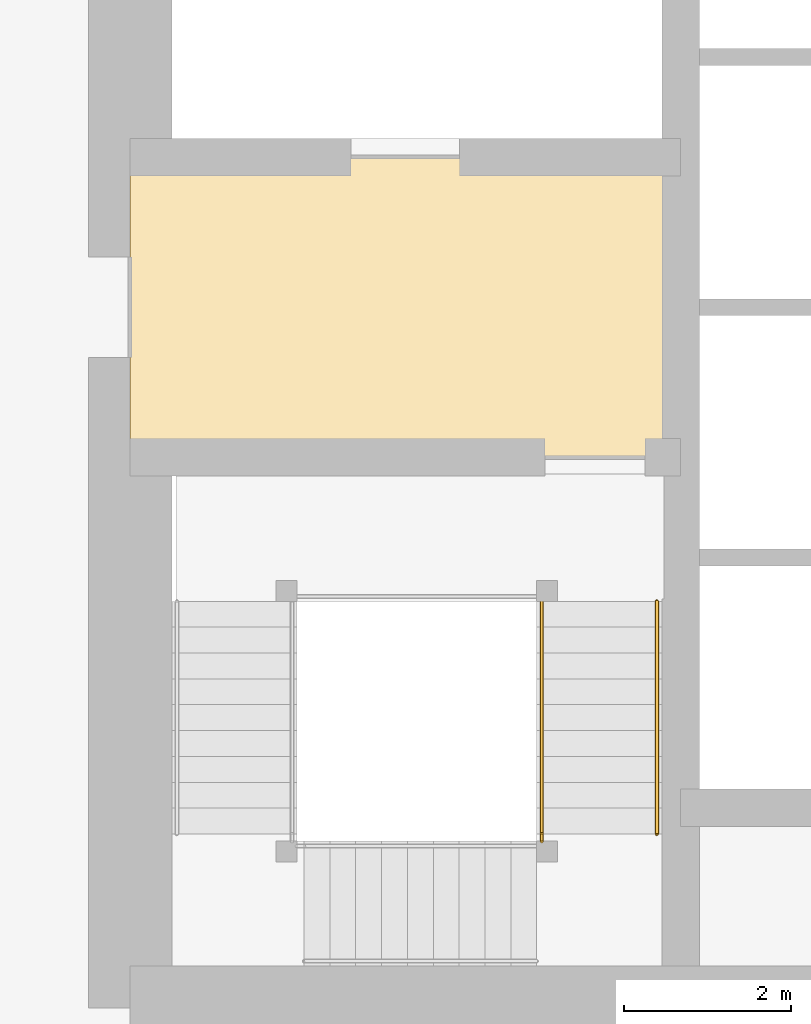
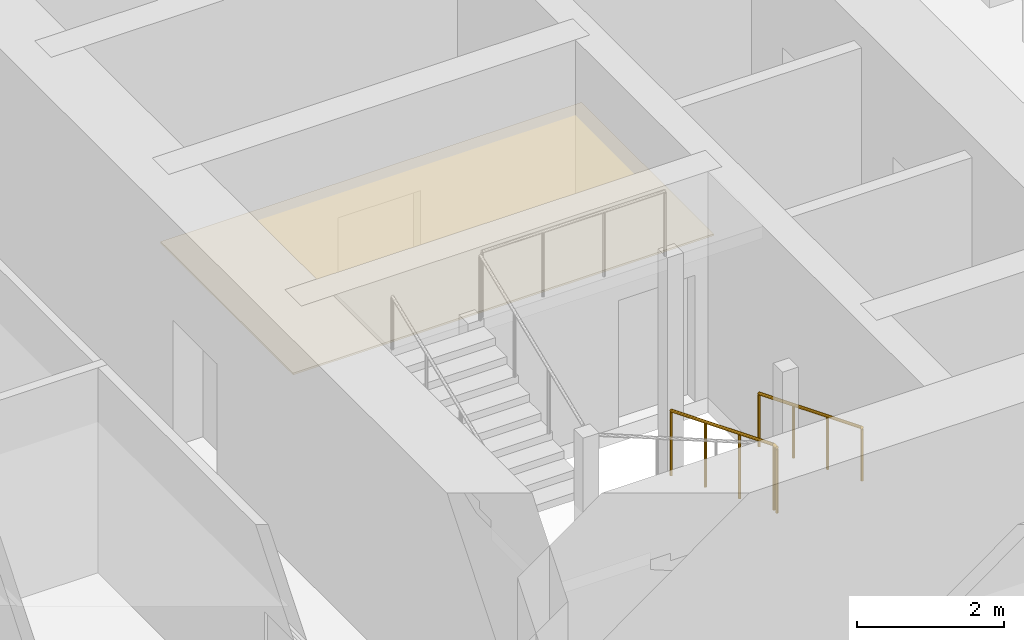
# One storey, part 28 of 34: 3 railings, 1 covering.
"""IFC4 building model written with IfcOpenShell, lengths in metres."""

import ifcopenshell
import ifcopenshell.guid

model = None  # the IFC model being written
_history = None  # IfcOwnerHistory: only IFC2X3 demands one
_inside = {}  # id of a spatial element -> (the spatial element, [elements in it])
_under = {}  # id of a project, library or spatial element -> (it, [spatial elements below it])
_declared = {}  # id of a project -> (the project, [libraries it declares])
_typed = {}  # id of a type object -> (the type object, [elements of that type])
_made_of = {}  # id of a material, layer set ... -> (it, [elements and type objects made of it])


def new_model(schema):
    """Start an empty IFC model of exactly this schema.

    Asked for "IFC4X3", IfcOpenShell would pick the latest addendum, in which some entities
    have other attributes; the version numbers below select the first issue.
    IFC2X3 requires an IfcOwnerHistory on every rooted entity: one is made here for all.
    """
    global model, _history
    if schema == "IFC4X3":
        model = ifcopenshell.file(schema_version=(4, 3, 0, 0))
    else:
        model = ifcopenshell.file(schema=schema)
    _inside.clear()
    _under.clear()
    _declared.clear()
    _typed.clear()
    _made_of.clear()
    _history = None
    if model.schema == "IFC2X3":
        org = make("IfcOrganization", Name="unknown")
        user = make(
            "IfcPersonAndOrganization",
            ThePerson=make("IfcPerson", FamilyName="unknown"),
            TheOrganization=org,
        )
        app = make(
            "IfcApplication",
            ApplicationDeveloper=org,
            Version="unknown",
            ApplicationFullName="unknown",
            ApplicationIdentifier="unknown",
        )
        _history = make(
            "IfcOwnerHistory",
            OwningUser=user,
            OwningApplication=app,
            ChangeAction="ADDED",
            CreationDate=0,
        )
    return model


def make(cls, **values):
    """One entity of the class cls with the attributes given. An attribute that is None is left unset."""
    return model.create_entity(
        cls, **{name: value for name, value in values.items() if value is not None}
    )


def rooted(cls, **values):
    """An entity with a GlobalId (a new one), such as an element, a storey or a relation."""
    return make(cls, GlobalId=ifcopenshell.guid.new(), OwnerHistory=_history, **values)


def si_unit(unit_type, name, prefix=None):
    """IfcSIUnit, for example si_unit("LENGTHUNIT", "METRE", prefix="MILLI")."""
    return make("IfcSIUnit", UnitType=unit_type, Prefix=prefix, Name=name)


def assignment(units):
    """IfcUnitAssignment: the units of a project."""
    return None if units is None else make("IfcUnitAssignment", Units=units)


def point(xyz):
    """IfcCartesianPoint."""
    return None if xyz is None else make("IfcCartesianPoint", Coordinates=xyz)


def direction(xyz):
    """IfcDirection."""
    return None if xyz is None else make("IfcDirection", DirectionRatios=xyz)


def frame(location, z_axis=None, x_axis=None):
    """IfcAxis2Placement3D, a coordinate frame: its origin and axes. An axis left out is left unset."""
    return make(
        "IfcAxis2Placement3D",
        Location=point(location),
        Axis=direction(z_axis),
        RefDirection=direction(x_axis),
    )


def frame_2d(location, x_axis=None):
    """IfcAxis2Placement2D, a coordinate frame in the plane: its origin and x axis."""
    return make(
        "IfcAxis2Placement2D", Location=point(location), RefDirection=direction(x_axis)
    )


def origin():
    """The frame at (0, 0, 0) with its axes left unset."""
    return frame((0.0, 0.0, 0.0))


def origin_2d():
    """The frame at (0, 0) in the plane with its x axis left unset."""
    return frame_2d((0.0, 0.0))


def place(relative_to, where):
    """IfcLocalPlacement: puts the frame where relative to a parent placement (None: the world)."""
    return make(
        "IfcLocalPlacement", PlacementRelTo=relative_to, RelativePlacement=where
    )


def context(
    kind, dimensions, precision=None, world=None, true_north=None, identifier=None
):
    """IfcGeometricRepresentationContext, for example the 3D "Model" context."""
    return make(
        "IfcGeometricRepresentationContext",
        ContextIdentifier=identifier,
        ContextType=kind,
        CoordinateSpaceDimension=dimensions,
        Precision=precision,
        WorldCoordinateSystem=world,
        TrueNorth=true_north,
    )


def subcontext(parent, identifier, kind, view, scale=None):
    """IfcGeometricRepresentationSubContext, for example "Body" below "Model"."""
    return make(
        "IfcGeometricRepresentationSubContext",
        ContextIdentifier=identifier,
        ContextType=kind,
        ParentContext=parent,
        TargetScale=scale,
        TargetView=view,
    )


def project(units=None, contexts=None):
    """IfcProject with its units and contexts."""
    return rooted(
        "IfcProject",
        Name="project",
        RepresentationContexts=contexts,
        UnitsInContext=assignment(units),
    )


def spatial(cls, under=None, at=None, **own):
    """A site, building, storey or space (cls), placed at a placement, below another one or the project."""
    s = rooted(cls, ObjectPlacement=at, **own)
    if under is not None:
        _under.setdefault(under.id(), (under, []))[1].append(s)
    return s


def polyline(points):
    """IfcPolyline through the points."""
    return make("IfcPolyline", Points=[point(p) for p in points])


def profile(cls, at=None, kind="AREA", **sizes):
    """A parametric profile (cls). Its sizes go by their IFC names, for example OverallWidth=200.0."""
    return make(cls, ProfileType=kind, Position=at, **sizes)


def circle(**sizes):
    """IfcCircleProfileDef."""
    return profile("IfcCircleProfileDef", **sizes)


def outline(outer, holes=None, kind="AREA"):
    """IfcArbitraryClosedProfileDef: a profile drawn as a closed curve; with holes, ...WithVoids."""
    if holes is None:
        return make("IfcArbitraryClosedProfileDef", ProfileType=kind, OuterCurve=outer)
    return make(
        "IfcArbitraryProfileDefWithVoids",
        ProfileType=kind,
        OuterCurve=outer,
        InnerCurves=holes,
    )


def extrude(swept, where, along, depth):
    """IfcExtrudedAreaSolid: the profile swept, set in the frame where, extruded along a direction by depth."""
    return make(
        "IfcExtrudedAreaSolid",
        SweptArea=swept,
        Position=where,
        ExtrudedDirection=direction(along),
        Depth=depth,
    )


def shape(context_of_items, identifier, shape_type, items):
    """IfcShapeRepresentation: the items that make up one representation, for example the "Body"."""
    return make(
        "IfcShapeRepresentation",
        ContextOfItems=context_of_items,
        RepresentationIdentifier=identifier,
        RepresentationType=shape_type,
        Items=items,
    )


def material(Name=None, Category=None):
    """IfcMaterial."""
    return make("IfcMaterial", Name=Name, Category=Category)


def layer(
    of_material, thickness, ventilated=None, Name=None, Category=None, Priority=None
):
    """IfcMaterialLayer: one layer of a wall or slab, of a material (None: an air gap)."""
    return make(
        "IfcMaterialLayer",
        Material=of_material,
        LayerThickness=thickness,
        IsVentilated=ventilated,
        Name=Name,
        Category=Category,
        Priority=Priority,
    )


def layer_set(layers, Name=None):
    """IfcMaterialLayerSet."""
    return make("IfcMaterialLayerSet", MaterialLayers=layers, LayerSetName=Name)


def made_of(thing, what):
    """Note that an element or type object is made of a material, layer set ...; save() writes the relation."""
    if what is not None:
        _made_of.setdefault(what.id(), (what, []))[1].append(thing)
    return thing


def type_object(cls, material=None, **own):
    """A type object (cls), such as IfcWallType, which elements share."""
    return made_of(rooted(cls, **own), material)


def element(
    cls,
    number,
    at=None,
    inside=None,
    cuts=None,
    type_object=None,
    material=None,
    context=None,
    identifier="Body",
    shape_type=None,
    held_by="IfcProductDefinitionShape",
    body=None,
    shapes=None,
    **own,
):
    """One element of the class cls, such as IfcWall. Its Tag is "e" and its number.

    at: its placement. inside: the storey or other place that contains it. cuts: it is an
    opening in that element (IfcRelVoidsElement). A single representation is given by context,
    identifier, shape_type and body (its items); several are given by shapes. held_by: the class
    of the entity that holds the representations. save() writes the other relations.
    """
    e = rooted(cls, Tag="e%d" % number, ObjectPlacement=at, **own)
    if body is not None:
        shapes = [shape(context, identifier, shape_type, body)]
    if shapes is not None:
        e.Representation = make(held_by, Representations=shapes)
    if inside is not None:
        _inside.setdefault(inside.id(), (inside, []))[1].append(e)
    if cuts is not None:
        rooted(
            "IfcRelVoidsElement", RelatingBuildingElement=cuts, RelatedOpeningElement=e
        )
    if type_object is not None:
        _typed.setdefault(type_object.id(), (type_object, []))[1].append(e)
    return made_of(e, material)


def aggregate(whole, parts):
    """IfcRelAggregates: a whole, such as a stair, and the parts it consists of."""
    return rooted("IfcRelAggregates", RelatingObject=whole, RelatedObjects=parts)


def save(model, path):
    """Write the relations noted so far, then the file.

    IfcRelAggregates (storeys below a building ...), IfcRelContainedInSpatialStructure (elements
    in a storey), IfcRelDefinesByType, IfcRelAssociatesMaterial and IfcRelDeclares: one each for
    every whole, place, type object, material and project.
    """
    for whole, parts in _under.values():
        aggregate(whole, parts)
    for where, things in _inside.values():
        rooted(
            "IfcRelContainedInSpatialStructure",
            RelatedElements=things,
            RelatingStructure=where,
        )
    for kind, things in _typed.values():
        rooted("IfcRelDefinesByType", RelatedObjects=things, RelatingType=kind)
    for what, things in _made_of.values():
        rooted("IfcRelAssociatesMaterial", RelatedObjects=things, RelatingMaterial=what)
    for by, libraries in _declared.values():
        rooted("IfcRelDeclares", RelatingContext=by, RelatedDefinitions=libraries)
    model.write(path)


model = new_model("IFC4")

# Units and contexts
model_context = context("Model", 3, precision=1e-05, world=origin(), true_north=direction((0.0, 1.0)))
body_context = subcontext(model_context, "Body", "Model", "MODEL_VIEW")
ifc_project = project(units=[si_unit("LENGTHUNIT", "METRE"), si_unit("AREAUNIT", "SQUARE_METRE"), si_unit("VOLUMEUNIT", "CUBIC_METRE"), si_unit("PLANEANGLEUNIT", "RADIAN"), si_unit("MASSUNIT", "GRAM", prefix="KILO")], contexts=[model_context])

# Site, building, storey
site_placement = place(None, origin())
site = spatial("IfcSite", under=ifc_project, at=site_placement, CompositionType="ELEMENT")
building_placement = place(site_placement, origin())
building = spatial("IfcBuilding", under=site, at=building_placement, Name="Rekha Terrace Tower", CompositionType="ELEMENT")
storey_placement = place(building_placement, frame((0.0, 0.0, 236.449951171875)))
storey = spatial("IfcBuildingStorey", under=building, at=storey_placement, Name="L60", CompositionType="ELEMENT", Elevation=236.449951171875)

# Covering
ifc_material_1 = material(Name="Powder-coated aluminium pan", Category="aluminium")
ifc_layer = layer(ifc_material_1, 0.030029296875)
ifc_layer_set = layer_set([ifc_layer], Name="Powder-coated aluminium pan")
covering_type = type_object("IfcCoveringType", Name="CL3 300x1200 metal pan ceiling", PredefinedType="CEILING", material=ifc_layer_set)
covering_placement = place(storey_placement, frame((0.0, 0.0, 2.469970703125)))
element("IfcCovering", 1, at=covering_placement, inside=storey, type_object=covering_type, Name="Ceiling L60-FLB1", PredefinedType="CEILING", context=body_context, shape_type="SweptSolid", body=[
    extrude(outline(polyline([(31.800048828125, 31.199951171875), (25.199951171875, 31.199951171875), (25.199951171875, 27.60009765625), (31.800048828125, 27.60009765625), (31.800048828125, 31.199951171875)])), origin(), (0.0, 0.0, 1.0), 0.030029296875),
])

# Railings
ifc_material_2 = material(Name="Stainless steel balustrade", Category="steel")
railing_type_1 = type_object("IfcRailingType", Name="GR1 1100 stair guard", PredefinedType="GUARDRAIL", material=ifc_material_2)
railing_1_placement = place(storey_placement, frame((30.135009765625, 25.875, 0.125)))
element("IfcRailing", 2, at=railing_1_placement, inside=storey, type_object=railing_type_1, Name="Guard ST1 L60 flight 1", PredefinedType="GUARDRAIL", context=body_context, shape_type="SweptSolid", body=[
    extrude(circle(Radius=0.02392578125, at=origin_2d()), frame((0.0, 0.0, 1.076171875), z_axis=(0.0, -0.927443287984, 0.373963831907), x_axis=(1.0, 0.0, 0.0)), (0.0, 0.0, 1.0), 3.00830078125),
    extrude(circle(Radius=0.02099609375, at=origin_2d()), origin(), (0.0, 0.0, 1.0), 1.052001953125),
    extrude(circle(Radius=0.02099609375, at=origin_2d()), frame((0.0, -0.929931640625, 0.375)), (0.0, 0.0, 1.0), 1.052001953125),
    extrude(circle(Radius=0.02099609375, at=origin_2d()), frame((0.0, -1.860107421875, 0.75)), (0.0, 0.0, 1.0), 1.052001953125),
    extrude(circle(Radius=0.02099609375, at=origin_2d()), frame((0.0, -2.7900390625, 1.125)), (0.0, 0.0, 1.0), 1.052001953125),
])
railing_2_placement = place(storey_placement, frame((30.135009765625, 23.0849609375, 1.25)))
element("IfcRailing", 3, at=railing_2_placement, inside=storey, type_object=railing_type_1, Name="Guard ST1 L60 landing 1", PredefinedType="GUARDRAIL", context=body_context, shape_type="SweptSolid", body=[
    extrude(circle(Radius=0.02392578125, at=origin_2d()), frame((0.0, 0.0, 1.076171875), z_axis=(0.0, -1.0, 0.0), x_axis=(1.0, 0.0, 0.0)), (0.0, 0.0, 1.0), 0.0849609375),
    extrude(circle(Radius=0.02099609375, at=origin_2d()), origin(), (0.0, 0.0, 1.0), 1.052001953125),
    extrude(circle(Radius=0.02099609375, at=origin_2d()), frame((0.0, -0.0849609375, 0.0)), (0.0, 0.0, 1.0), 1.052001953125),
])
ifc_material_3 = material(Name="Stainless steel tube", Category="steel")
railing_type_2 = type_object("IfcRailingType", Name="HR1 900 stair handrail", PredefinedType="HANDRAIL", material=ifc_material_3)
railing_3_placement = place(storey_placement, frame((31.514892578125, 25.875, 0.125)))
element("IfcRailing", 4, at=railing_3_placement, inside=storey, type_object=railing_type_2, Name="Handrail ST1 L60 flight 1", PredefinedType="HANDRAIL", context=body_context, shape_type="SweptSolid", body=[
    extrude(circle(Radius=0.02392578125, at=origin_2d()), frame((0.0, 0.0, 0.8759765625), z_axis=(0.0, -0.927443287984, 0.373963831907), x_axis=(1.0, 0.0, 0.0)), (0.0, 0.0, 1.0), 3.00830078125),
    extrude(circle(Radius=0.02099609375, at=origin_2d()), origin(), (0.0, 0.0, 1.0), 0.851806640625),
    extrude(circle(Radius=0.02099609375, at=origin_2d()), frame((0.0, -0.929931640625, 0.375)), (0.0, 0.0, 1.0), 0.851806640625),
    extrude(circle(Radius=0.02099609375, at=origin_2d()), frame((0.0, -1.860107421875, 0.75)), (0.0, 0.0, 1.0), 0.851806640625),
    extrude(circle(Radius=0.02099609375, at=origin_2d()), frame((0.0, -2.7900390625, 1.125)), (0.0, 0.0, 1.0), 0.851806640625),
])

save(model, "model.ifc")
